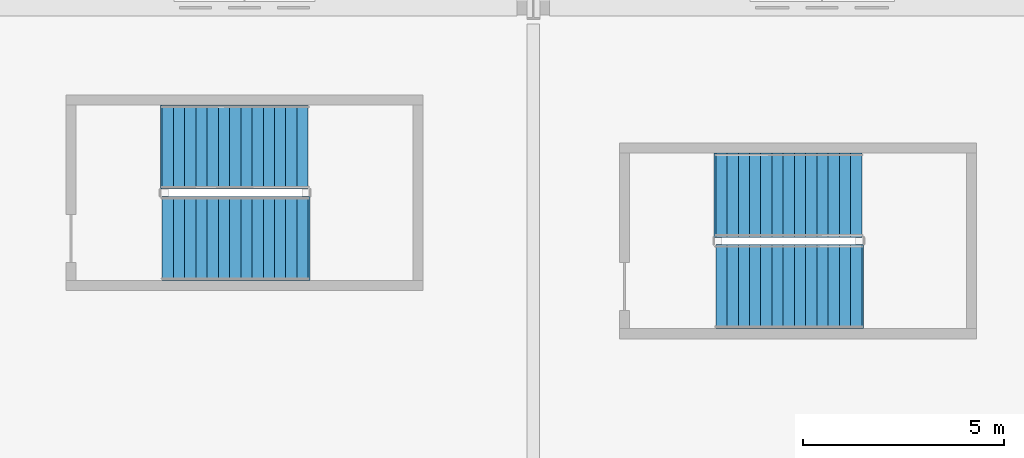
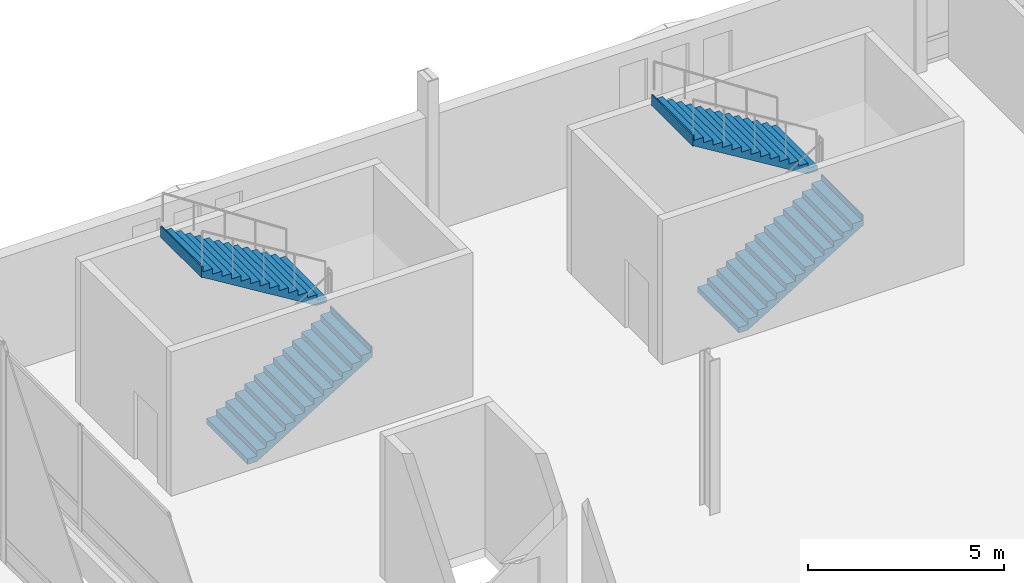
# One storey, part 191 of 220: 4 stair flights, 2 elements without a shape of their own.
"""IFC4 building model written with IfcOpenShell, lengths in metres."""

from ifc_helpers import new_model, si_unit, direction, frame, origin, place, context, subcontext, project, spatial, triangles, material, type_object, element, aggregate, save


model = new_model("IFC4")

# Units and contexts
model_context = context("Model", 3, precision=1e-05, world=origin(), true_north=direction((0.0, 1.0)))
body_context = subcontext(model_context, "Body", "Model", "MODEL_VIEW")
ifc_project = project(units=[si_unit("LENGTHUNIT", "METRE"), si_unit("AREAUNIT", "SQUARE_METRE"), si_unit("VOLUMEUNIT", "CUBIC_METRE"), si_unit("PLANEANGLEUNIT", "RADIAN"), si_unit("MASSUNIT", "GRAM", prefix="KILO")], contexts=[model_context])

# Site, building, storey
site_placement = place(None, origin())
site = spatial("IfcSite", under=ifc_project, at=site_placement, CompositionType="ELEMENT")
building_placement = place(site_placement, origin())
building = spatial("IfcBuilding", under=site, at=building_placement, Name="Cendralis Lancet Convention Centre", CompositionType="ELEMENT")
storey_placement = place(building_placement, frame((0.0, 0.0, 5.39990234375)))
storey = spatial("IfcBuildingStorey", under=building, at=storey_placement, Name="L01", CompositionType="ELEMENT", Elevation=5.39990234375)

# Stair, stair flights
ifc_material = material(Name="Concrete G35 (C35/45)", Category="concrete")
stair_type = type_object("IfcStairType", Name="ARC-ST-CORE", PredefinedType="HALF_TURN_STAIR", material=ifc_material)
stair_1_placement = place(storey_placement, origin())
stair_1 = element("IfcStair", 1, at=stair_1_placement, inside=storey, type_object=stair_type, Name="L01 Protected Exit Stair ST-05", PredefinedType="HALF_TURN_STAIR")
stair_flight_type = type_object("IfcStairFlightType", Name="ARC-SF-CORE", PredefinedType="STRAIGHT", material=ifc_material)
stair_flight_1_placement = place(storey_placement, frame((129.949951171875, 131.050048828125, 0.0), z_axis=(0.0, 0.0, 1.0), x_axis=(1.0, 0.0, 0.0)))
stair_flight_1 = element("IfcStairFlight", 2, at=stair_flight_1_placement, type_object=stair_flight_type, Name="ST-05 flight 1", NumberOfRisers=14, NumberOfTreads=13, PredefinedType="STRAIGHT", RiserHeight=0.171428571, TreadLength=0.28, context=body_context, shape_type="Tessellation", body=[
    triangles([(0.0, 0.0, 0.085714), (0.0, 1.050049, 0.0), (0.0, -1.050049, 0.0), (0.0, -1.050049, 0.171429), (0.0, 1.050049, 0.171429), (0.14, 0.0, 0.171429), (0.28, -1.050049, 0.171429), (0.28, 1.050049, 0.171429), (0.14, 0.0, 0.0), (0.28, -1.050049, 0.0), (0.28, 1.050049, 0.0), (0.28, 0.0, 0.257143), (0.28, -1.050049, 0.342857), (0.28, 1.050049, 0.342857), (0.283543, 0.0, 0.342857), (0.287085, -1.050049, 0.342857), (0.287085, 1.050049, 0.342857), (0.283543, 0.0, 0.0), (0.287085, -1.050049, 0.0), (0.287085, 1.050049, 0.0), (0.423543, 0.0, 0.342857), (0.56, -1.050049, 0.342857), (0.56, 1.050049, 0.342857), (0.423543, 0.0, 0.083545), (0.56, -1.050049, 0.167091), (0.56, 1.050049, 0.167091), (0.56, 0.0, 0.428572), (0.56, -1.050049, 0.514286), (0.56, 1.050049, 0.514286), (0.7, 0.0, 0.514286), (0.84, -1.050049, 0.514286), (0.84, 1.050049, 0.514286), (0.7, 0.0, 0.252806), (0.84, -1.050049, 0.33852), (0.84, 1.050049, 0.33852), (0.84, 0.0, 0.6), (0.84, -1.050049, 0.685714), (0.84, 1.050049, 0.685714), (0.98, 0.0, 0.685714), (1.12, -1.050049, 0.685714), (1.12, 1.050049, 0.685714), (0.98, 0.0, 0.424234), (1.12, -1.050049, 0.509948), (1.12, 1.050049, 0.509948), (1.12, 0.0, 0.771429), (1.12, -1.050049, 0.857143), (1.12, 1.050049, 0.857143), (1.26, 0.0, 0.857143), (1.4, -1.050049, 0.857143), (1.4, 1.050049, 0.857143), (1.26, 0.0, 0.595662), (1.4, -1.050049, 0.681377), (1.4, 1.050049, 0.681377), (1.4, 0.0, 0.942857), (1.4, -1.050049, 1.028571), (1.4, 1.050049, 1.028571), (1.54, 0.0, 1.028571), (1.68, -1.050049, 1.028571), (1.68, 1.050049, 1.028571), (1.54, 0.0, 0.767091), (1.68, -1.050049, 0.852805), (1.68, 1.050049, 0.852805), (1.68, 0.0, 1.114286), (1.68, -1.050049, 1.2), (1.68, 1.050049, 1.2), (1.82, 0.0, 1.2), (1.96, -1.050049, 1.2), (1.96, 1.050049, 1.2), (1.82, 0.0, 0.938519), (1.96, -1.050049, 1.024234), (1.96, 1.050049, 1.024234), (1.96, 0.0, 1.285715), (1.96, -1.050049, 1.371429), (1.96, 1.050049, 1.371429), (2.1, 0.0, 1.371429), (2.24, -1.050049, 1.371429), (2.24, 1.050049, 1.371429), (2.1, 0.0, 1.109948), (2.24, -1.050049, 1.195662), (2.24, 1.050049, 1.195662), (2.24, 0.0, 1.457143), (2.24, -1.050049, 1.542857), (2.24, 1.050049, 1.542857), (2.38, 0.0, 1.542857), (2.52, -1.050049, 1.542857), (2.52, 1.050049, 1.542857), (2.38, 0.0, 1.281376), (2.52, -1.050049, 1.367091), (2.52, 1.050049, 1.367091), (2.52, 0.0, 1.628572), (2.52, -1.050049, 1.714286), (2.52, 1.050049, 1.714286), (2.66, 0.0, 1.714286), (2.8, -1.050049, 1.714286), (2.8, 1.050049, 1.714286), (2.66, 0.0, 1.452806), (2.8, -1.050049, 1.53852), (2.8, 1.050049, 1.53852), (2.8, 0.0, 1.8), (2.8, -1.050049, 1.885714), (2.8, 1.050049, 1.885714), (2.94, 0.0, 1.885714), (3.08, -1.050049, 1.885714), (3.08, 1.050049, 1.885714), (2.94, 0.0, 1.624234), (3.08, -1.050049, 1.709948), (3.08, 1.050049, 1.709948), (3.08, 0.0, 1.971429), (3.08, -1.050049, 2.057143), (3.08, 1.050049, 2.057143), (3.22, 0.0, 2.057143), (3.36, -1.050049, 2.057143), (3.36, 1.050049, 2.057143), (3.22, 0.0, 1.795663), (3.36, -1.050049, 1.881377), (3.36, 1.050049, 1.881377), (3.36, 0.0, 2.142857), (3.36, -1.050049, 2.228571), (3.36, 1.050049, 2.228571), (3.5, 0.0, 2.228571), (3.64, -1.050049, 2.228571), (3.64, 1.050049, 2.228571), (3.5, 0.0, 1.967091), (3.64, -1.050049, 2.052805), (3.64, 1.050049, 2.052805), (3.64, 0.0, 2.314285), (3.64, -1.050049, 2.4), (3.64, 1.050049, 2.4), (3.66, 0.0, 2.4), (3.68, -1.050049, 2.4), (3.68, 1.050049, 2.4), (3.66, 0.0, 2.052805), (3.68, -1.050049, 2.052805), (3.68, 1.050049, 2.052805), (3.68, 0.0, 2.226403)], [[2, 3, 1], [3, 4, 1], [4, 5, 1], [5, 2, 1], [4, 7, 6], [7, 8, 6], [8, 5, 6], [5, 4, 6], [10, 3, 9], [3, 2, 9], [2, 11, 9], [11, 10, 9], [3, 10, 7], [3, 7, 4], [2, 8, 11], [2, 5, 8], [8, 7, 12], [7, 13, 12], [13, 14, 12], [14, 8, 12], [13, 16, 15], [16, 17, 15], [17, 14, 15], [14, 13, 15], [19, 10, 18], [10, 11, 18], [11, 20, 18], [20, 19, 18], [10, 19, 16], [10, 16, 7], [7, 16, 13], [11, 17, 20], [11, 8, 17], [8, 14, 17], [16, 22, 21], [22, 23, 21], [23, 17, 21], [17, 16, 21], [25, 19, 24], [19, 20, 24], [20, 26, 24], [26, 25, 24], [19, 25, 22], [19, 22, 16], [20, 23, 26], [20, 17, 23], [23, 22, 27], [22, 28, 27], [28, 29, 27], [29, 23, 27], [28, 31, 30], [31, 32, 30], [32, 29, 30], [29, 28, 30], [34, 25, 33], [25, 26, 33], [26, 35, 33], [35, 34, 33], [25, 34, 31], [25, 31, 22], [22, 31, 28], [26, 32, 35], [26, 23, 32], [23, 29, 32], [32, 31, 36], [31, 37, 36], [37, 38, 36], [38, 32, 36], [37, 40, 39], [40, 41, 39], [41, 38, 39], [38, 37, 39], [43, 34, 42], [34, 35, 42], [35, 44, 42], [44, 43, 42], [34, 43, 40], [34, 40, 31], [31, 40, 37], [35, 41, 44], [35, 32, 41], [32, 38, 41], [41, 40, 45], [40, 46, 45], [46, 47, 45], [47, 41, 45], [46, 49, 48], [49, 50, 48], [50, 47, 48], [47, 46, 48], [52, 43, 51], [43, 44, 51], [44, 53, 51], [53, 52, 51], [43, 52, 49], [43, 49, 40], [40, 49, 46], [44, 50, 53], [44, 41, 50], [41, 47, 50], [50, 49, 54], [49, 55, 54], [55, 56, 54], [56, 50, 54], [55, 58, 57], [58, 59, 57], [59, 56, 57], [56, 55, 57], [61, 52, 60], [52, 53, 60], [53, 62, 60], [62, 61, 60], [52, 61, 58], [52, 58, 49], [49, 58, 55], [53, 59, 62], [53, 50, 59], [50, 56, 59], [59, 58, 63], [58, 64, 63], [64, 65, 63], [65, 59, 63], [64, 67, 66], [67, 68, 66], [68, 65, 66], [65, 64, 66], [70, 61, 69], [61, 62, 69], [62, 71, 69], [71, 70, 69], [61, 70, 67], [61, 67, 58], [58, 67, 64], [62, 68, 71], [62, 59, 68], [59, 65, 68], [68, 67, 72], [67, 73, 72], [73, 74, 72], [74, 68, 72], [73, 76, 75], [76, 77, 75], [77, 74, 75], [74, 73, 75], [79, 70, 78], [70, 71, 78], [71, 80, 78], [80, 79, 78], [70, 79, 76], [70, 76, 67], [67, 76, 73], [71, 77, 80], [71, 68, 77], [68, 74, 77], [77, 76, 81], [76, 82, 81], [82, 83, 81], [83, 77, 81], [82, 85, 84], [85, 86, 84], [86, 83, 84], [83, 82, 84], [88, 79, 87], [79, 80, 87], [80, 89, 87], [89, 88, 87], [79, 88, 85], [79, 85, 76], [76, 85, 82], [80, 86, 89], [80, 77, 86], [77, 83, 86], [86, 85, 90], [85, 91, 90], [91, 92, 90], [92, 86, 90], [91, 94, 93], [94, 95, 93], [95, 92, 93], [92, 91, 93], [97, 88, 96], [88, 89, 96], [89, 98, 96], [98, 97, 96], [88, 97, 94], [88, 94, 85], [85, 94, 91], [89, 95, 98], [89, 86, 95], [86, 92, 95], [95, 94, 99], [94, 100, 99], [100, 101, 99], [101, 95, 99], [100, 103, 102], [103, 104, 102], [104, 101, 102], [101, 100, 102], [106, 97, 105], [97, 98, 105], [98, 107, 105], [107, 106, 105], [97, 106, 103], [97, 103, 94], [94, 103, 100], [98, 104, 107], [98, 95, 104], [95, 101, 104], [104, 103, 108], [103, 109, 108], [109, 110, 108], [110, 104, 108], [109, 112, 111], [112, 113, 111], [113, 110, 111], [110, 109, 111], [115, 106, 114], [106, 107, 114], [107, 116, 114], [116, 115, 114], [106, 115, 112], [106, 112, 103], [103, 112, 109], [107, 113, 116], [107, 104, 113], [104, 110, 113], [113, 112, 117], [112, 118, 117], [118, 119, 117], [119, 113, 117], [118, 121, 120], [121, 122, 120], [122, 119, 120], [119, 118, 120], [124, 115, 123], [115, 116, 123], [116, 125, 123], [125, 124, 123], [115, 124, 121], [115, 121, 112], [112, 121, 118], [116, 122, 125], [116, 113, 122], [113, 119, 122], [122, 121, 126], [121, 127, 126], [127, 128, 126], [128, 122, 126], [127, 130, 129], [130, 131, 129], [131, 128, 129], [128, 127, 129], [133, 124, 132], [124, 125, 132], [125, 134, 132], [134, 133, 132], [124, 133, 130], [124, 130, 121], [121, 130, 127], [125, 131, 134], [125, 122, 131], [122, 128, 131], [133, 134, 135], [134, 131, 135], [131, 130, 135], [130, 133, 135]], closed=True),
])
stair_flight_2_placement = place(storey_placement, frame((133.590087890625, 133.330078125, 2.400146484375), z_axis=(0.0, 0.0, 1.0), x_axis=(-1.0, 0.0, 0.0)))
stair_flight_2 = element("IfcStairFlight", 3, at=stair_flight_2_placement, type_object=stair_flight_type, Name="ST-05 flight 2", NumberOfRisers=14, NumberOfTreads=13, PredefinedType="STRAIGHT", RiserHeight=0.171428571, TreadLength=0.28, context=body_context, shape_type="Tessellation", body=[
    triangles([(0.0, 0.0, 0.085714), (0.0, 1.050049, 0.0), (0.0, -1.050049, 0.0), (0.0, -1.050049, 0.171429), (0.0, 1.050049, 0.171429), (0.14, 0.0, 0.171429), (0.28, -1.050049, 0.171429), (0.28, 1.050049, 0.171429), (0.14, 0.0, 0.0), (0.28, -1.050049, 0.0), (0.28, 1.050049, 0.0), (0.28, 0.0, 0.257143), (0.28, -1.050049, 0.342857), (0.28, 1.050049, 0.342857), (0.283543, 0.0, 0.342857), (0.287085, -1.050049, 0.342857), (0.287085, 1.050049, 0.342857), (0.283543, 0.0, 0.0), (0.287085, -1.050049, 0.0), (0.287085, 1.050049, 0.0), (0.423543, 0.0, 0.342857), (0.56, -1.050049, 0.342857), (0.56, 1.050049, 0.342857), (0.423543, 0.0, 0.083545), (0.56, -1.050049, 0.167091), (0.56, 1.050049, 0.167091), (0.56, 0.0, 0.428572), (0.56, -1.050049, 0.514286), (0.56, 1.050049, 0.514286), (0.7, 0.0, 0.514286), (0.84, -1.050049, 0.514286), (0.84, 1.050049, 0.514286), (0.7, 0.0, 0.252806), (0.84, -1.050049, 0.33852), (0.84, 1.050049, 0.33852), (0.84, 0.0, 0.6), (0.84, -1.050049, 0.685714), (0.84, 1.050049, 0.685714), (0.98, 0.0, 0.685714), (1.12, -1.050049, 0.685714), (1.12, 1.050049, 0.685714), (0.98, 0.0, 0.424234), (1.12, -1.050049, 0.509948), (1.12, 1.050049, 0.509948), (1.12, 0.0, 0.771429), (1.12, -1.050049, 0.857143), (1.12, 1.050049, 0.857143), (1.26, 0.0, 0.857143), (1.4, -1.050049, 0.857143), (1.4, 1.050049, 0.857143), (1.26, 0.0, 0.595662), (1.4, -1.050049, 0.681377), (1.4, 1.050049, 0.681377), (1.4, 0.0, 0.942857), (1.4, -1.050049, 1.028571), (1.4, 1.050049, 1.028571), (1.54, 0.0, 1.028571), (1.68, -1.050049, 1.028571), (1.68, 1.050049, 1.028571), (1.54, 0.0, 0.767091), (1.68, -1.050049, 0.852805), (1.68, 1.050049, 0.852805), (1.68, 0.0, 1.114286), (1.68, -1.050049, 1.2), (1.68, 1.050049, 1.2), (1.82, 0.0, 1.2), (1.96, -1.050049, 1.2), (1.96, 1.050049, 1.2), (1.82, 0.0, 0.938519), (1.96, -1.050049, 1.024234), (1.96, 1.050049, 1.024234), (1.96, 0.0, 1.285715), (1.96, -1.050049, 1.371429), (1.96, 1.050049, 1.371429), (2.1, 0.0, 1.371429), (2.24, -1.050049, 1.371429), (2.24, 1.050049, 1.371429), (2.1, 0.0, 1.109948), (2.24, -1.050049, 1.195662), (2.24, 1.050049, 1.195662), (2.24, 0.0, 1.457143), (2.24, -1.050049, 1.542857), (2.24, 1.050049, 1.542857), (2.38, 0.0, 1.542857), (2.52, -1.050049, 1.542857), (2.52, 1.050049, 1.542857), (2.38, 0.0, 1.281376), (2.52, -1.050049, 1.367091), (2.52, 1.050049, 1.367091), (2.52, 0.0, 1.628572), (2.52, -1.050049, 1.714286), (2.52, 1.050049, 1.714286), (2.66, 0.0, 1.714286), (2.8, -1.050049, 1.714286), (2.8, 1.050049, 1.714286), (2.66, 0.0, 1.452806), (2.8, -1.050049, 1.53852), (2.8, 1.050049, 1.53852), (2.8, 0.0, 1.8), (2.8, -1.050049, 1.885714), (2.8, 1.050049, 1.885714), (2.94, 0.0, 1.885714), (3.08, -1.050049, 1.885714), (3.08, 1.050049, 1.885714), (2.94, 0.0, 1.624234), (3.08, -1.050049, 1.709948), (3.08, 1.050049, 1.709948), (3.08, 0.0, 1.971429), (3.08, -1.050049, 2.057143), (3.08, 1.050049, 2.057143), (3.22, 0.0, 2.057143), (3.36, -1.050049, 2.057143), (3.36, 1.050049, 2.057143), (3.22, 0.0, 1.795663), (3.36, -1.050049, 1.881377), (3.36, 1.050049, 1.881377), (3.36, 0.0, 2.142857), (3.36, -1.050049, 2.228571), (3.36, 1.050049, 2.228571), (3.5, 0.0, 2.228571), (3.64, -1.050049, 2.228571), (3.64, 1.050049, 2.228571), (3.5, 0.0, 1.967091), (3.64, -1.050049, 2.052805), (3.64, 1.050049, 2.052805), (3.64, 0.0, 2.314285), (3.64, -1.050049, 2.4), (3.64, 1.050049, 2.4), (3.66, 0.0, 2.4), (3.68, -1.050049, 2.4), (3.68, 1.050049, 2.4), (3.66, 0.0, 2.052805), (3.68, -1.050049, 2.052805), (3.68, 1.050049, 2.052805), (3.68, 0.0, 2.226403)], [[2, 3, 1], [3, 4, 1], [4, 5, 1], [5, 2, 1], [4, 7, 6], [7, 8, 6], [8, 5, 6], [5, 4, 6], [10, 3, 9], [3, 2, 9], [2, 11, 9], [11, 10, 9], [3, 10, 7], [3, 7, 4], [2, 8, 11], [2, 5, 8], [8, 7, 12], [7, 13, 12], [13, 14, 12], [14, 8, 12], [13, 16, 15], [16, 17, 15], [17, 14, 15], [14, 13, 15], [19, 10, 18], [10, 11, 18], [11, 20, 18], [20, 19, 18], [10, 19, 16], [10, 16, 7], [7, 16, 13], [11, 17, 20], [11, 8, 17], [8, 14, 17], [16, 22, 21], [22, 23, 21], [23, 17, 21], [17, 16, 21], [25, 19, 24], [19, 20, 24], [20, 26, 24], [26, 25, 24], [19, 25, 22], [19, 22, 16], [20, 23, 26], [20, 17, 23], [23, 22, 27], [22, 28, 27], [28, 29, 27], [29, 23, 27], [28, 31, 30], [31, 32, 30], [32, 29, 30], [29, 28, 30], [34, 25, 33], [25, 26, 33], [26, 35, 33], [35, 34, 33], [25, 34, 31], [25, 31, 22], [22, 31, 28], [26, 32, 35], [26, 23, 32], [23, 29, 32], [32, 31, 36], [31, 37, 36], [37, 38, 36], [38, 32, 36], [37, 40, 39], [40, 41, 39], [41, 38, 39], [38, 37, 39], [43, 34, 42], [34, 35, 42], [35, 44, 42], [44, 43, 42], [34, 43, 40], [34, 40, 31], [31, 40, 37], [35, 41, 44], [35, 32, 41], [32, 38, 41], [41, 40, 45], [40, 46, 45], [46, 47, 45], [47, 41, 45], [46, 49, 48], [49, 50, 48], [50, 47, 48], [47, 46, 48], [52, 43, 51], [43, 44, 51], [44, 53, 51], [53, 52, 51], [43, 52, 49], [43, 49, 40], [40, 49, 46], [44, 50, 53], [44, 41, 50], [41, 47, 50], [50, 49, 54], [49, 55, 54], [55, 56, 54], [56, 50, 54], [55, 58, 57], [58, 59, 57], [59, 56, 57], [56, 55, 57], [61, 52, 60], [52, 53, 60], [53, 62, 60], [62, 61, 60], [52, 61, 58], [52, 58, 49], [49, 58, 55], [53, 59, 62], [53, 50, 59], [50, 56, 59], [59, 58, 63], [58, 64, 63], [64, 65, 63], [65, 59, 63], [64, 67, 66], [67, 68, 66], [68, 65, 66], [65, 64, 66], [70, 61, 69], [61, 62, 69], [62, 71, 69], [71, 70, 69], [61, 70, 67], [61, 67, 58], [58, 67, 64], [62, 68, 71], [62, 59, 68], [59, 65, 68], [68, 67, 72], [67, 73, 72], [73, 74, 72], [74, 68, 72], [73, 76, 75], [76, 77, 75], [77, 74, 75], [74, 73, 75], [79, 70, 78], [70, 71, 78], [71, 80, 78], [80, 79, 78], [70, 79, 76], [70, 76, 67], [67, 76, 73], [71, 77, 80], [71, 68, 77], [68, 74, 77], [77, 76, 81], [76, 82, 81], [82, 83, 81], [83, 77, 81], [82, 85, 84], [85, 86, 84], [86, 83, 84], [83, 82, 84], [88, 79, 87], [79, 80, 87], [80, 89, 87], [89, 88, 87], [79, 88, 85], [79, 85, 76], [76, 85, 82], [80, 86, 89], [80, 77, 86], [77, 83, 86], [86, 85, 90], [85, 91, 90], [91, 92, 90], [92, 86, 90], [91, 94, 93], [94, 95, 93], [95, 92, 93], [92, 91, 93], [97, 88, 96], [88, 89, 96], [89, 98, 96], [98, 97, 96], [88, 97, 94], [88, 94, 85], [85, 94, 91], [89, 95, 98], [89, 86, 95], [86, 92, 95], [95, 94, 99], [94, 100, 99], [100, 101, 99], [101, 95, 99], [100, 103, 102], [103, 104, 102], [104, 101, 102], [101, 100, 102], [106, 97, 105], [97, 98, 105], [98, 107, 105], [107, 106, 105], [97, 106, 103], [97, 103, 94], [94, 103, 100], [98, 104, 107], [98, 95, 104], [95, 101, 104], [104, 103, 108], [103, 109, 108], [109, 110, 108], [110, 104, 108], [109, 112, 111], [112, 113, 111], [113, 110, 111], [110, 109, 111], [115, 106, 114], [106, 107, 114], [107, 116, 114], [116, 115, 114], [106, 115, 112], [106, 112, 103], [103, 112, 109], [107, 113, 116], [107, 104, 113], [104, 110, 113], [113, 112, 117], [112, 118, 117], [118, 119, 117], [119, 113, 117], [118, 121, 120], [121, 122, 120], [122, 119, 120], [119, 118, 120], [124, 115, 123], [115, 116, 123], [116, 125, 123], [125, 124, 123], [115, 124, 121], [115, 121, 112], [112, 121, 118], [116, 122, 125], [116, 113, 122], [113, 119, 122], [122, 121, 126], [121, 127, 126], [127, 128, 126], [128, 122, 126], [127, 130, 129], [130, 131, 129], [131, 128, 129], [128, 127, 129], [133, 124, 132], [124, 125, 132], [125, 134, 132], [134, 133, 132], [124, 133, 130], [124, 130, 121], [121, 130, 127], [125, 131, 134], [125, 122, 131], [122, 128, 131], [133, 134, 135], [134, 131, 135], [131, 130, 135], [130, 133, 135]], closed=True),
])
aggregate(stair_1, [stair_flight_1, stair_flight_2])

stair_2_placement = place(storey_placement, origin())
stair_2 = element("IfcStair", 4, at=stair_2_placement, inside=storey, type_object=stair_type, Name="L01 Protected Exit Stair ST-19", PredefinedType="HALF_TURN_STAIR")
stair_flight_3_placement = place(storey_placement, frame((143.75, 129.85009765625, 0.0), z_axis=(0.0, 0.0, 1.0), x_axis=(1.0, 0.0, 0.0)))
stair_flight_3 = element("IfcStairFlight", 5, at=stair_flight_3_placement, type_object=stair_flight_type, Name="ST-19 flight 1", NumberOfRisers=14, NumberOfTreads=13, PredefinedType="STRAIGHT", RiserHeight=0.171428571, TreadLength=0.28, context=body_context, shape_type="Tessellation", body=[
    triangles([(0.0, 0.0, 0.085714), (0.0, 1.050049, 0.0), (0.0, -1.050049, 0.0), (0.0, -1.050049, 0.171429), (0.0, 1.050049, 0.171429), (0.14, 0.0, 0.171429), (0.28, -1.050049, 0.171429), (0.28, 1.050049, 0.171429), (0.14, 0.0, 0.0), (0.28, -1.050049, 0.0), (0.28, 1.050049, 0.0), (0.28, 0.0, 0.257143), (0.28, -1.050049, 0.342857), (0.28, 1.050049, 0.342857), (0.283543, 0.0, 0.342857), (0.287085, -1.050049, 0.342857), (0.287085, 1.050049, 0.342857), (0.283543, 0.0, 0.0), (0.287085, -1.050049, 0.0), (0.287085, 1.050049, 0.0), (0.423543, 0.0, 0.342857), (0.56, -1.050049, 0.342857), (0.56, 1.050049, 0.342857), (0.423543, 0.0, 0.083545), (0.56, -1.050049, 0.167091), (0.56, 1.050049, 0.167091), (0.56, 0.0, 0.428572), (0.56, -1.050049, 0.514286), (0.56, 1.050049, 0.514286), (0.7, 0.0, 0.514286), (0.84, -1.050049, 0.514286), (0.84, 1.050049, 0.514286), (0.7, 0.0, 0.252806), (0.84, -1.050049, 0.33852), (0.84, 1.050049, 0.33852), (0.84, 0.0, 0.6), (0.84, -1.050049, 0.685714), (0.84, 1.050049, 0.685714), (0.98, 0.0, 0.685714), (1.12, -1.050049, 0.685714), (1.12, 1.050049, 0.685714), (0.98, 0.0, 0.424234), (1.12, -1.050049, 0.509948), (1.12, 1.050049, 0.509948), (1.12, 0.0, 0.771429), (1.12, -1.050049, 0.857143), (1.12, 1.050049, 0.857143), (1.26, 0.0, 0.857143), (1.4, -1.050049, 0.857143), (1.4, 1.050049, 0.857143), (1.26, 0.0, 0.595662), (1.4, -1.050049, 0.681377), (1.4, 1.050049, 0.681377), (1.4, 0.0, 0.942857), (1.4, -1.050049, 1.028571), (1.4, 1.050049, 1.028571), (1.54, 0.0, 1.028571), (1.68, -1.050049, 1.028571), (1.68, 1.050049, 1.028571), (1.54, 0.0, 0.767091), (1.68, -1.050049, 0.852805), (1.68, 1.050049, 0.852805), (1.68, 0.0, 1.114286), (1.68, -1.050049, 1.2), (1.68, 1.050049, 1.2), (1.82, 0.0, 1.2), (1.96, -1.050049, 1.2), (1.96, 1.050049, 1.2), (1.82, 0.0, 0.938519), (1.96, -1.050049, 1.024234), (1.96, 1.050049, 1.024234), (1.96, 0.0, 1.285715), (1.96, -1.050049, 1.371429), (1.96, 1.050049, 1.371429), (2.1, 0.0, 1.371429), (2.24, -1.050049, 1.371429), (2.24, 1.050049, 1.371429), (2.1, 0.0, 1.109948), (2.24, -1.050049, 1.195662), (2.24, 1.050049, 1.195662), (2.24, 0.0, 1.457143), (2.24, -1.050049, 1.542857), (2.24, 1.050049, 1.542857), (2.38, 0.0, 1.542857), (2.52, -1.050049, 1.542857), (2.52, 1.050049, 1.542857), (2.38, 0.0, 1.281376), (2.52, -1.050049, 1.367091), (2.52, 1.050049, 1.367091), (2.52, 0.0, 1.628572), (2.52, -1.050049, 1.714286), (2.52, 1.050049, 1.714286), (2.66, 0.0, 1.714286), (2.8, -1.050049, 1.714286), (2.8, 1.050049, 1.714286), (2.66, 0.0, 1.452806), (2.8, -1.050049, 1.53852), (2.8, 1.050049, 1.53852), (2.8, 0.0, 1.8), (2.8, -1.050049, 1.885714), (2.8, 1.050049, 1.885714), (2.94, 0.0, 1.885714), (3.08, -1.050049, 1.885714), (3.08, 1.050049, 1.885714), (2.94, 0.0, 1.624234), (3.08, -1.050049, 1.709948), (3.08, 1.050049, 1.709948), (3.08, 0.0, 1.971429), (3.08, -1.050049, 2.057143), (3.08, 1.050049, 2.057143), (3.22, 0.0, 2.057143), (3.36, -1.050049, 2.057143), (3.36, 1.050049, 2.057143), (3.22, 0.0, 1.795663), (3.36, -1.050049, 1.881377), (3.36, 1.050049, 1.881377), (3.36, 0.0, 2.142857), (3.36, -1.050049, 2.228571), (3.36, 1.050049, 2.228571), (3.5, 0.0, 2.228571), (3.64, -1.050049, 2.228571), (3.64, 1.050049, 2.228571), (3.5, 0.0, 1.967091), (3.64, -1.050049, 2.052805), (3.64, 1.050049, 2.052805), (3.64, 0.0, 2.314285), (3.64, -1.050049, 2.4), (3.64, 1.050049, 2.4), (3.66, 0.0, 2.4), (3.68, -1.050049, 2.4), (3.68, 1.050049, 2.4), (3.66, 0.0, 2.052805), (3.68, -1.050049, 2.052805), (3.68, 1.050049, 2.052805), (3.68, 0.0, 2.226403)], [[2, 3, 1], [3, 4, 1], [4, 5, 1], [5, 2, 1], [4, 7, 6], [7, 8, 6], [8, 5, 6], [5, 4, 6], [10, 3, 9], [3, 2, 9], [2, 11, 9], [11, 10, 9], [3, 10, 7], [3, 7, 4], [2, 8, 11], [2, 5, 8], [8, 7, 12], [7, 13, 12], [13, 14, 12], [14, 8, 12], [13, 16, 15], [16, 17, 15], [17, 14, 15], [14, 13, 15], [19, 10, 18], [10, 11, 18], [11, 20, 18], [20, 19, 18], [10, 19, 16], [10, 16, 7], [7, 16, 13], [11, 17, 20], [11, 8, 17], [8, 14, 17], [16, 22, 21], [22, 23, 21], [23, 17, 21], [17, 16, 21], [25, 19, 24], [19, 20, 24], [20, 26, 24], [26, 25, 24], [19, 25, 22], [19, 22, 16], [20, 23, 26], [20, 17, 23], [23, 22, 27], [22, 28, 27], [28, 29, 27], [29, 23, 27], [28, 31, 30], [31, 32, 30], [32, 29, 30], [29, 28, 30], [34, 25, 33], [25, 26, 33], [26, 35, 33], [35, 34, 33], [25, 34, 31], [25, 31, 22], [22, 31, 28], [26, 32, 35], [26, 23, 32], [23, 29, 32], [32, 31, 36], [31, 37, 36], [37, 38, 36], [38, 32, 36], [37, 40, 39], [40, 41, 39], [41, 38, 39], [38, 37, 39], [43, 34, 42], [34, 35, 42], [35, 44, 42], [44, 43, 42], [34, 43, 40], [34, 40, 31], [31, 40, 37], [35, 41, 44], [35, 32, 41], [32, 38, 41], [41, 40, 45], [40, 46, 45], [46, 47, 45], [47, 41, 45], [46, 49, 48], [49, 50, 48], [50, 47, 48], [47, 46, 48], [52, 43, 51], [43, 44, 51], [44, 53, 51], [53, 52, 51], [43, 52, 49], [43, 49, 40], [40, 49, 46], [44, 50, 53], [44, 41, 50], [41, 47, 50], [50, 49, 54], [49, 55, 54], [55, 56, 54], [56, 50, 54], [55, 58, 57], [58, 59, 57], [59, 56, 57], [56, 55, 57], [61, 52, 60], [52, 53, 60], [53, 62, 60], [62, 61, 60], [52, 61, 58], [52, 58, 49], [49, 58, 55], [53, 59, 62], [53, 50, 59], [50, 56, 59], [59, 58, 63], [58, 64, 63], [64, 65, 63], [65, 59, 63], [64, 67, 66], [67, 68, 66], [68, 65, 66], [65, 64, 66], [70, 61, 69], [61, 62, 69], [62, 71, 69], [71, 70, 69], [61, 70, 67], [61, 67, 58], [58, 67, 64], [62, 68, 71], [62, 59, 68], [59, 65, 68], [68, 67, 72], [67, 73, 72], [73, 74, 72], [74, 68, 72], [73, 76, 75], [76, 77, 75], [77, 74, 75], [74, 73, 75], [79, 70, 78], [70, 71, 78], [71, 80, 78], [80, 79, 78], [70, 79, 76], [70, 76, 67], [67, 76, 73], [71, 77, 80], [71, 68, 77], [68, 74, 77], [77, 76, 81], [76, 82, 81], [82, 83, 81], [83, 77, 81], [82, 85, 84], [85, 86, 84], [86, 83, 84], [83, 82, 84], [88, 79, 87], [79, 80, 87], [80, 89, 87], [89, 88, 87], [79, 88, 85], [79, 85, 76], [76, 85, 82], [80, 86, 89], [80, 77, 86], [77, 83, 86], [86, 85, 90], [85, 91, 90], [91, 92, 90], [92, 86, 90], [91, 94, 93], [94, 95, 93], [95, 92, 93], [92, 91, 93], [97, 88, 96], [88, 89, 96], [89, 98, 96], [98, 97, 96], [88, 97, 94], [88, 94, 85], [85, 94, 91], [89, 95, 98], [89, 86, 95], [86, 92, 95], [95, 94, 99], [94, 100, 99], [100, 101, 99], [101, 95, 99], [100, 103, 102], [103, 104, 102], [104, 101, 102], [101, 100, 102], [106, 97, 105], [97, 98, 105], [98, 107, 105], [107, 106, 105], [97, 106, 103], [97, 103, 94], [94, 103, 100], [98, 104, 107], [98, 95, 104], [95, 101, 104], [104, 103, 108], [103, 109, 108], [109, 110, 108], [110, 104, 108], [109, 112, 111], [112, 113, 111], [113, 110, 111], [110, 109, 111], [115, 106, 114], [106, 107, 114], [107, 116, 114], [116, 115, 114], [106, 115, 112], [106, 112, 103], [103, 112, 109], [107, 113, 116], [107, 104, 113], [104, 110, 113], [113, 112, 117], [112, 118, 117], [118, 119, 117], [119, 113, 117], [118, 121, 120], [121, 122, 120], [122, 119, 120], [119, 118, 120], [124, 115, 123], [115, 116, 123], [116, 125, 123], [125, 124, 123], [115, 124, 121], [115, 121, 112], [112, 121, 118], [116, 122, 125], [116, 113, 122], [113, 119, 122], [122, 121, 126], [121, 127, 126], [127, 128, 126], [128, 122, 126], [127, 130, 129], [130, 131, 129], [131, 128, 129], [128, 127, 129], [133, 124, 132], [124, 125, 132], [125, 134, 132], [134, 133, 132], [124, 133, 130], [124, 130, 121], [121, 130, 127], [125, 131, 134], [125, 122, 131], [122, 128, 131], [133, 134, 135], [134, 131, 135], [131, 130, 135], [130, 133, 135]], closed=True),
])
stair_flight_4_placement = place(storey_placement, frame((147.389892578125, 132.1298828125, 2.400146484375), z_axis=(0.0, 0.0, 1.0), x_axis=(-1.0, 0.0, 0.0)))
stair_flight_4 = element("IfcStairFlight", 6, at=stair_flight_4_placement, type_object=stair_flight_type, Name="ST-19 flight 2", NumberOfRisers=14, NumberOfTreads=13, PredefinedType="STRAIGHT", RiserHeight=0.171428571, TreadLength=0.28, context=body_context, shape_type="Tessellation", body=[
    triangles([(0.0, 0.0, 0.085714), (0.0, 1.050049, 0.0), (0.0, -1.050049, 0.0), (0.0, -1.050049, 0.171429), (0.0, 1.050049, 0.171429), (0.14, 0.0, 0.171429), (0.28, -1.050049, 0.171429), (0.28, 1.050049, 0.171429), (0.14, 0.0, 0.0), (0.28, -1.050049, 0.0), (0.28, 1.050049, 0.0), (0.28, 0.0, 0.257143), (0.28, -1.050049, 0.342857), (0.28, 1.050049, 0.342857), (0.283543, 0.0, 0.342857), (0.287085, -1.050049, 0.342857), (0.287085, 1.050049, 0.342857), (0.283543, 0.0, 0.0), (0.287085, -1.050049, 0.0), (0.287085, 1.050049, 0.0), (0.423543, 0.0, 0.342857), (0.56, -1.050049, 0.342857), (0.56, 1.050049, 0.342857), (0.423543, 0.0, 0.083545), (0.56, -1.050049, 0.167091), (0.56, 1.050049, 0.167091), (0.56, 0.0, 0.428572), (0.56, -1.050049, 0.514286), (0.56, 1.050049, 0.514286), (0.7, 0.0, 0.514286), (0.84, -1.050049, 0.514286), (0.84, 1.050049, 0.514286), (0.7, 0.0, 0.252806), (0.84, -1.050049, 0.33852), (0.84, 1.050049, 0.33852), (0.84, 0.0, 0.6), (0.84, -1.050049, 0.685714), (0.84, 1.050049, 0.685714), (0.98, 0.0, 0.685714), (1.12, -1.050049, 0.685714), (1.12, 1.050049, 0.685714), (0.98, 0.0, 0.424234), (1.12, -1.050049, 0.509948), (1.12, 1.050049, 0.509948), (1.12, 0.0, 0.771429), (1.12, -1.050049, 0.857143), (1.12, 1.050049, 0.857143), (1.26, 0.0, 0.857143), (1.4, -1.050049, 0.857143), (1.4, 1.050049, 0.857143), (1.26, 0.0, 0.595662), (1.4, -1.050049, 0.681377), (1.4, 1.050049, 0.681377), (1.4, 0.0, 0.942857), (1.4, -1.050049, 1.028571), (1.4, 1.050049, 1.028571), (1.54, 0.0, 1.028571), (1.68, -1.050049, 1.028571), (1.68, 1.050049, 1.028571), (1.54, 0.0, 0.767091), (1.68, -1.050049, 0.852805), (1.68, 1.050049, 0.852805), (1.68, 0.0, 1.114286), (1.68, -1.050049, 1.2), (1.68, 1.050049, 1.2), (1.82, 0.0, 1.2), (1.96, -1.050049, 1.2), (1.96, 1.050049, 1.2), (1.82, 0.0, 0.938519), (1.96, -1.050049, 1.024234), (1.96, 1.050049, 1.024234), (1.96, 0.0, 1.285715), (1.96, -1.050049, 1.371429), (1.96, 1.050049, 1.371429), (2.1, 0.0, 1.371429), (2.24, -1.050049, 1.371429), (2.24, 1.050049, 1.371429), (2.1, 0.0, 1.109948), (2.24, -1.050049, 1.195662), (2.24, 1.050049, 1.195662), (2.24, 0.0, 1.457143), (2.24, -1.050049, 1.542857), (2.24, 1.050049, 1.542857), (2.38, 0.0, 1.542857), (2.52, -1.050049, 1.542857), (2.52, 1.050049, 1.542857), (2.38, 0.0, 1.281376), (2.52, -1.050049, 1.367091), (2.52, 1.050049, 1.367091), (2.52, 0.0, 1.628572), (2.52, -1.050049, 1.714286), (2.52, 1.050049, 1.714286), (2.66, 0.0, 1.714286), (2.8, -1.050049, 1.714286), (2.8, 1.050049, 1.714286), (2.66, 0.0, 1.452806), (2.8, -1.050049, 1.53852), (2.8, 1.050049, 1.53852), (2.8, 0.0, 1.8), (2.8, -1.050049, 1.885714), (2.8, 1.050049, 1.885714), (2.94, 0.0, 1.885714), (3.08, -1.050049, 1.885714), (3.08, 1.050049, 1.885714), (2.94, 0.0, 1.624234), (3.08, -1.050049, 1.709948), (3.08, 1.050049, 1.709948), (3.08, 0.0, 1.971429), (3.08, -1.050049, 2.057143), (3.08, 1.050049, 2.057143), (3.22, 0.0, 2.057143), (3.36, -1.050049, 2.057143), (3.36, 1.050049, 2.057143), (3.22, 0.0, 1.795663), (3.36, -1.050049, 1.881377), (3.36, 1.050049, 1.881377), (3.36, 0.0, 2.142857), (3.36, -1.050049, 2.228571), (3.36, 1.050049, 2.228571), (3.5, 0.0, 2.228571), (3.64, -1.050049, 2.228571), (3.64, 1.050049, 2.228571), (3.5, 0.0, 1.967091), (3.64, -1.050049, 2.052805), (3.64, 1.050049, 2.052805), (3.64, 0.0, 2.314285), (3.64, -1.050049, 2.4), (3.64, 1.050049, 2.4), (3.66, 0.0, 2.4), (3.68, -1.050049, 2.4), (3.68, 1.050049, 2.4), (3.66, 0.0, 2.052805), (3.68, -1.050049, 2.052805), (3.68, 1.050049, 2.052805), (3.68, 0.0, 2.226403)], [[2, 3, 1], [3, 4, 1], [4, 5, 1], [5, 2, 1], [4, 7, 6], [7, 8, 6], [8, 5, 6], [5, 4, 6], [10, 3, 9], [3, 2, 9], [2, 11, 9], [11, 10, 9], [3, 10, 7], [3, 7, 4], [2, 8, 11], [2, 5, 8], [8, 7, 12], [7, 13, 12], [13, 14, 12], [14, 8, 12], [13, 16, 15], [16, 17, 15], [17, 14, 15], [14, 13, 15], [19, 10, 18], [10, 11, 18], [11, 20, 18], [20, 19, 18], [10, 19, 16], [10, 16, 7], [7, 16, 13], [11, 17, 20], [11, 8, 17], [8, 14, 17], [16, 22, 21], [22, 23, 21], [23, 17, 21], [17, 16, 21], [25, 19, 24], [19, 20, 24], [20, 26, 24], [26, 25, 24], [19, 25, 22], [19, 22, 16], [20, 23, 26], [20, 17, 23], [23, 22, 27], [22, 28, 27], [28, 29, 27], [29, 23, 27], [28, 31, 30], [31, 32, 30], [32, 29, 30], [29, 28, 30], [34, 25, 33], [25, 26, 33], [26, 35, 33], [35, 34, 33], [25, 34, 31], [25, 31, 22], [22, 31, 28], [26, 32, 35], [26, 23, 32], [23, 29, 32], [32, 31, 36], [31, 37, 36], [37, 38, 36], [38, 32, 36], [37, 40, 39], [40, 41, 39], [41, 38, 39], [38, 37, 39], [43, 34, 42], [34, 35, 42], [35, 44, 42], [44, 43, 42], [34, 43, 40], [34, 40, 31], [31, 40, 37], [35, 41, 44], [35, 32, 41], [32, 38, 41], [41, 40, 45], [40, 46, 45], [46, 47, 45], [47, 41, 45], [46, 49, 48], [49, 50, 48], [50, 47, 48], [47, 46, 48], [52, 43, 51], [43, 44, 51], [44, 53, 51], [53, 52, 51], [43, 52, 49], [43, 49, 40], [40, 49, 46], [44, 50, 53], [44, 41, 50], [41, 47, 50], [50, 49, 54], [49, 55, 54], [55, 56, 54], [56, 50, 54], [55, 58, 57], [58, 59, 57], [59, 56, 57], [56, 55, 57], [61, 52, 60], [52, 53, 60], [53, 62, 60], [62, 61, 60], [52, 61, 58], [52, 58, 49], [49, 58, 55], [53, 59, 62], [53, 50, 59], [50, 56, 59], [59, 58, 63], [58, 64, 63], [64, 65, 63], [65, 59, 63], [64, 67, 66], [67, 68, 66], [68, 65, 66], [65, 64, 66], [70, 61, 69], [61, 62, 69], [62, 71, 69], [71, 70, 69], [61, 70, 67], [61, 67, 58], [58, 67, 64], [62, 68, 71], [62, 59, 68], [59, 65, 68], [68, 67, 72], [67, 73, 72], [73, 74, 72], [74, 68, 72], [73, 76, 75], [76, 77, 75], [77, 74, 75], [74, 73, 75], [79, 70, 78], [70, 71, 78], [71, 80, 78], [80, 79, 78], [70, 79, 76], [70, 76, 67], [67, 76, 73], [71, 77, 80], [71, 68, 77], [68, 74, 77], [77, 76, 81], [76, 82, 81], [82, 83, 81], [83, 77, 81], [82, 85, 84], [85, 86, 84], [86, 83, 84], [83, 82, 84], [88, 79, 87], [79, 80, 87], [80, 89, 87], [89, 88, 87], [79, 88, 85], [79, 85, 76], [76, 85, 82], [80, 86, 89], [80, 77, 86], [77, 83, 86], [86, 85, 90], [85, 91, 90], [91, 92, 90], [92, 86, 90], [91, 94, 93], [94, 95, 93], [95, 92, 93], [92, 91, 93], [97, 88, 96], [88, 89, 96], [89, 98, 96], [98, 97, 96], [88, 97, 94], [88, 94, 85], [85, 94, 91], [89, 95, 98], [89, 86, 95], [86, 92, 95], [95, 94, 99], [94, 100, 99], [100, 101, 99], [101, 95, 99], [100, 103, 102], [103, 104, 102], [104, 101, 102], [101, 100, 102], [106, 97, 105], [97, 98, 105], [98, 107, 105], [107, 106, 105], [97, 106, 103], [97, 103, 94], [94, 103, 100], [98, 104, 107], [98, 95, 104], [95, 101, 104], [104, 103, 108], [103, 109, 108], [109, 110, 108], [110, 104, 108], [109, 112, 111], [112, 113, 111], [113, 110, 111], [110, 109, 111], [115, 106, 114], [106, 107, 114], [107, 116, 114], [116, 115, 114], [106, 115, 112], [106, 112, 103], [103, 112, 109], [107, 113, 116], [107, 104, 113], [104, 110, 113], [113, 112, 117], [112, 118, 117], [118, 119, 117], [119, 113, 117], [118, 121, 120], [121, 122, 120], [122, 119, 120], [119, 118, 120], [124, 115, 123], [115, 116, 123], [116, 125, 123], [125, 124, 123], [115, 124, 121], [115, 121, 112], [112, 121, 118], [116, 122, 125], [116, 113, 122], [113, 119, 122], [122, 121, 126], [121, 127, 126], [127, 128, 126], [128, 122, 126], [127, 130, 129], [130, 131, 129], [131, 128, 129], [128, 127, 129], [133, 124, 132], [124, 125, 132], [125, 134, 132], [134, 133, 132], [124, 133, 130], [124, 130, 121], [121, 130, 127], [125, 131, 134], [125, 122, 131], [122, 128, 131], [133, 134, 135], [134, 131, 135], [131, 130, 135], [130, 133, 135]], closed=True),
])
aggregate(stair_2, [stair_flight_3, stair_flight_4])

save(model, "model.ifc")
